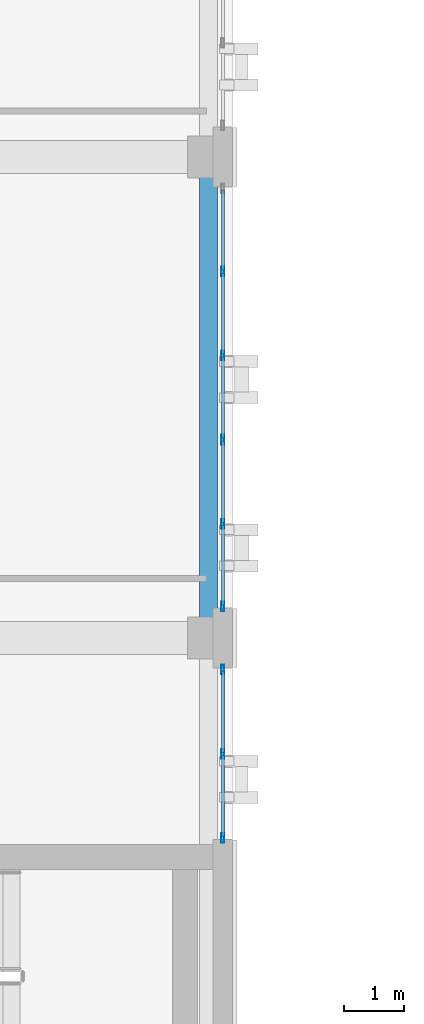
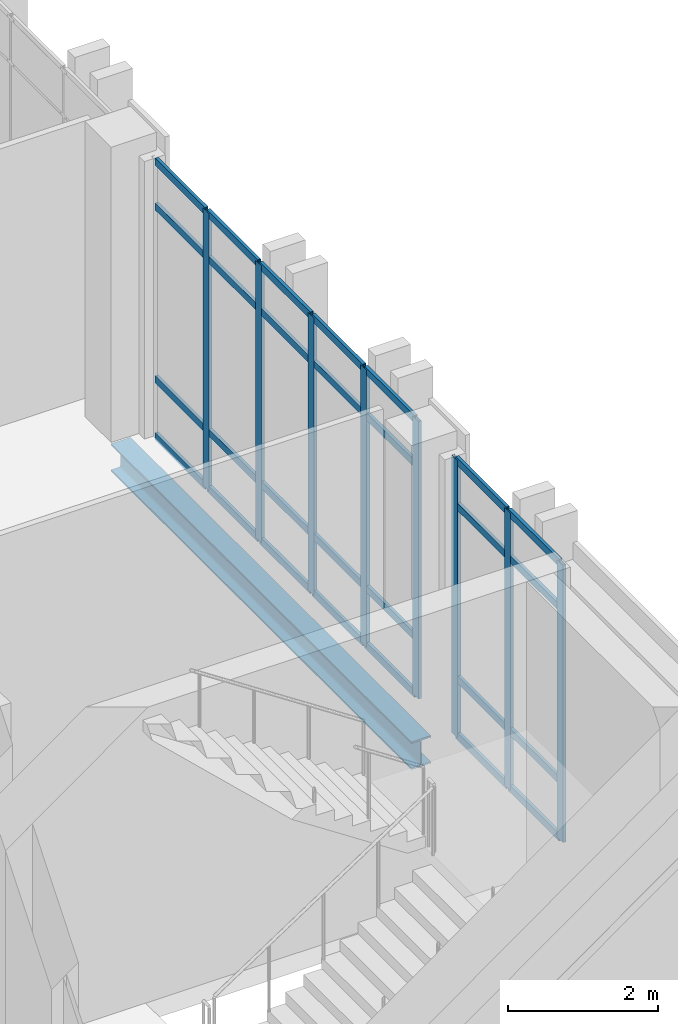
# One storey, part 63 of 189: 36 members, 1 beam, 2 elements without a shape of their own.
"""IFC4 building model written with IfcOpenShell, lengths in metres."""

import ifcopenshell
import ifcopenshell.guid

model = None  # the IFC model being written
_history = None  # IfcOwnerHistory: only IFC2X3 demands one
_inside = {}  # id of a spatial element -> (the spatial element, [elements in it])
_under = {}  # id of a project, library or spatial element -> (it, [spatial elements below it])
_declared = {}  # id of a project -> (the project, [libraries it declares])
_typed = {}  # id of a type object -> (the type object, [elements of that type])
_made_of = {}  # id of a material, layer set ... -> (it, [elements and type objects made of it])


def new_model(schema):
    """Start an empty IFC model of exactly this schema.

    Asked for "IFC4X3", IfcOpenShell would pick the latest addendum, in which some entities
    have other attributes; the version numbers below select the first issue.
    IFC2X3 requires an IfcOwnerHistory on every rooted entity: one is made here for all.
    """
    global model, _history
    if schema == "IFC4X3":
        model = ifcopenshell.file(schema_version=(4, 3, 0, 0))
    else:
        model = ifcopenshell.file(schema=schema)
    _inside.clear()
    _under.clear()
    _declared.clear()
    _typed.clear()
    _made_of.clear()
    _history = None
    if model.schema == "IFC2X3":
        org = make("IfcOrganization", Name="unknown")
        user = make(
            "IfcPersonAndOrganization",
            ThePerson=make("IfcPerson", FamilyName="unknown"),
            TheOrganization=org,
        )
        app = make(
            "IfcApplication",
            ApplicationDeveloper=org,
            Version="unknown",
            ApplicationFullName="unknown",
            ApplicationIdentifier="unknown",
        )
        _history = make(
            "IfcOwnerHistory",
            OwningUser=user,
            OwningApplication=app,
            ChangeAction="ADDED",
            CreationDate=0,
        )
    return model


def make(cls, **values):
    """One entity of the class cls with the attributes given. An attribute that is None is left unset."""
    return model.create_entity(
        cls, **{name: value for name, value in values.items() if value is not None}
    )


def rooted(cls, **values):
    """An entity with a GlobalId (a new one), such as an element, a storey or a relation."""
    return make(cls, GlobalId=ifcopenshell.guid.new(), OwnerHistory=_history, **values)


def si_unit(unit_type, name, prefix=None):
    """IfcSIUnit, for example si_unit("LENGTHUNIT", "METRE", prefix="MILLI")."""
    return make("IfcSIUnit", UnitType=unit_type, Prefix=prefix, Name=name)


def assignment(units):
    """IfcUnitAssignment: the units of a project."""
    return None if units is None else make("IfcUnitAssignment", Units=units)


def point(xyz):
    """IfcCartesianPoint."""
    return None if xyz is None else make("IfcCartesianPoint", Coordinates=xyz)


def direction(xyz):
    """IfcDirection."""
    return None if xyz is None else make("IfcDirection", DirectionRatios=xyz)


def frame(location, z_axis=None, x_axis=None):
    """IfcAxis2Placement3D, a coordinate frame: its origin and axes. An axis left out is left unset."""
    return make(
        "IfcAxis2Placement3D",
        Location=point(location),
        Axis=direction(z_axis),
        RefDirection=direction(x_axis),
    )


def frame_2d(location, x_axis=None):
    """IfcAxis2Placement2D, a coordinate frame in the plane: its origin and x axis."""
    return make(
        "IfcAxis2Placement2D", Location=point(location), RefDirection=direction(x_axis)
    )


def origin():
    """The frame at (0, 0, 0) with its axes left unset."""
    return frame((0.0, 0.0, 0.0))


def origin_2d():
    """The frame at (0, 0) in the plane with its x axis left unset."""
    return frame_2d((0.0, 0.0))


def place(relative_to, where):
    """IfcLocalPlacement: puts the frame where relative to a parent placement (None: the world)."""
    return make(
        "IfcLocalPlacement", PlacementRelTo=relative_to, RelativePlacement=where
    )


def context(
    kind, dimensions, precision=None, world=None, true_north=None, identifier=None
):
    """IfcGeometricRepresentationContext, for example the 3D "Model" context."""
    return make(
        "IfcGeometricRepresentationContext",
        ContextIdentifier=identifier,
        ContextType=kind,
        CoordinateSpaceDimension=dimensions,
        Precision=precision,
        WorldCoordinateSystem=world,
        TrueNorth=true_north,
    )


def subcontext(parent, identifier, kind, view, scale=None):
    """IfcGeometricRepresentationSubContext, for example "Body" below "Model"."""
    return make(
        "IfcGeometricRepresentationSubContext",
        ContextIdentifier=identifier,
        ContextType=kind,
        ParentContext=parent,
        TargetScale=scale,
        TargetView=view,
    )


def project(units=None, contexts=None):
    """IfcProject with its units and contexts."""
    return rooted(
        "IfcProject",
        Name="project",
        RepresentationContexts=contexts,
        UnitsInContext=assignment(units),
    )


def spatial(cls, under=None, at=None, **own):
    """A site, building, storey or space (cls), placed at a placement, below another one or the project."""
    s = rooted(cls, ObjectPlacement=at, **own)
    if under is not None:
        _under.setdefault(under.id(), (under, []))[1].append(s)
    return s


def profile(cls, at=None, kind="AREA", **sizes):
    """A parametric profile (cls). Its sizes go by their IFC names, for example OverallWidth=200.0."""
    return make(cls, ProfileType=kind, Position=at, **sizes)


def hollow_rectangle(**sizes):
    """IfcRectangleHollowProfileDef."""
    return profile("IfcRectangleHollowProfileDef", **sizes)


def i_section(**sizes):
    """IfcIShapeProfileDef."""
    return profile("IfcIShapeProfileDef", **sizes)


def extrude(swept, where, along, depth):
    """IfcExtrudedAreaSolid: the profile swept, set in the frame where, extruded along a direction by depth."""
    return make(
        "IfcExtrudedAreaSolid",
        SweptArea=swept,
        Position=where,
        ExtrudedDirection=direction(along),
        Depth=depth,
    )


def shape(context_of_items, identifier, shape_type, items):
    """IfcShapeRepresentation: the items that make up one representation, for example the "Body"."""
    return make(
        "IfcShapeRepresentation",
        ContextOfItems=context_of_items,
        RepresentationIdentifier=identifier,
        RepresentationType=shape_type,
        Items=items,
    )


def material(Name=None, Category=None):
    """IfcMaterial."""
    return make("IfcMaterial", Name=Name, Category=Category)


def layer(
    of_material, thickness, ventilated=None, Name=None, Category=None, Priority=None
):
    """IfcMaterialLayer: one layer of a wall or slab, of a material (None: an air gap)."""
    return make(
        "IfcMaterialLayer",
        Material=of_material,
        LayerThickness=thickness,
        IsVentilated=ventilated,
        Name=Name,
        Category=Category,
        Priority=Priority,
    )


def layer_set(layers, Name=None):
    """IfcMaterialLayerSet."""
    return make("IfcMaterialLayerSet", MaterialLayers=layers, LayerSetName=Name)


def material_profile(
    of_material, cross_section, Name=None, Category=None, Priority=None
):
    """IfcMaterialProfile: a cross section and its material."""
    return make(
        "IfcMaterialProfile",
        Name=Name,
        Material=of_material,
        Profile=cross_section,
        Priority=Priority,
        Category=Category,
    )


def profile_set(profiles, Name=None, composite=None):
    """IfcMaterialProfileSet."""
    return make(
        "IfcMaterialProfileSet",
        Name=Name,
        MaterialProfiles=profiles,
        CompositeProfile=composite,
    )


def made_of(thing, what):
    """Note that an element or type object is made of a material, layer set ...; save() writes the relation."""
    if what is not None:
        _made_of.setdefault(what.id(), (what, []))[1].append(thing)
    return thing


def type_object(cls, material=None, **own):
    """A type object (cls), such as IfcWallType, which elements share."""
    return made_of(rooted(cls, **own), material)


def element(
    cls,
    number,
    at=None,
    inside=None,
    cuts=None,
    type_object=None,
    material=None,
    context=None,
    identifier="Body",
    shape_type=None,
    held_by="IfcProductDefinitionShape",
    body=None,
    shapes=None,
    **own,
):
    """One element of the class cls, such as IfcWall. Its Tag is "e" and its number.

    at: its placement. inside: the storey or other place that contains it. cuts: it is an
    opening in that element (IfcRelVoidsElement). A single representation is given by context,
    identifier, shape_type and body (its items); several are given by shapes. held_by: the class
    of the entity that holds the representations. save() writes the other relations.
    """
    e = rooted(cls, Tag="e%d" % number, ObjectPlacement=at, **own)
    if body is not None:
        shapes = [shape(context, identifier, shape_type, body)]
    if shapes is not None:
        e.Representation = make(held_by, Representations=shapes)
    if inside is not None:
        _inside.setdefault(inside.id(), (inside, []))[1].append(e)
    if cuts is not None:
        rooted(
            "IfcRelVoidsElement", RelatingBuildingElement=cuts, RelatedOpeningElement=e
        )
    if type_object is not None:
        _typed.setdefault(type_object.id(), (type_object, []))[1].append(e)
    return made_of(e, material)


def aggregate(whole, parts):
    """IfcRelAggregates: a whole, such as a stair, and the parts it consists of."""
    return rooted("IfcRelAggregates", RelatingObject=whole, RelatedObjects=parts)


def save(model, path):
    """Write the relations noted so far, then the file.

    IfcRelAggregates (storeys below a building ...), IfcRelContainedInSpatialStructure (elements
    in a storey), IfcRelDefinesByType, IfcRelAssociatesMaterial and IfcRelDeclares: one each for
    every whole, place, type object, material and project.
    """
    for whole, parts in _under.values():
        aggregate(whole, parts)
    for where, things in _inside.values():
        rooted(
            "IfcRelContainedInSpatialStructure",
            RelatedElements=things,
            RelatingStructure=where,
        )
    for kind, things in _typed.values():
        rooted("IfcRelDefinesByType", RelatedObjects=things, RelatingType=kind)
    for what, things in _made_of.values():
        rooted("IfcRelAssociatesMaterial", RelatedObjects=things, RelatingMaterial=what)
    for by, libraries in _declared.values():
        rooted("IfcRelDeclares", RelatingContext=by, RelatedDefinitions=libraries)
    model.write(path)


model = new_model("IFC4")

# Units and contexts
model_context = context("Model", 3, precision=1e-05, world=origin(), true_north=direction((0.0, 1.0)))
body_context = subcontext(model_context, "Body", "Model", "MODEL_VIEW")
ifc_project = project(units=[si_unit("LENGTHUNIT", "METRE"), si_unit("AREAUNIT", "SQUARE_METRE"), si_unit("VOLUMEUNIT", "CUBIC_METRE"), si_unit("PLANEANGLEUNIT", "RADIAN"), si_unit("MASSUNIT", "GRAM", prefix="KILO")], contexts=[model_context])

# Site, building, storey
site_placement = place(None, origin())
site = spatial("IfcSite", under=ifc_project, at=site_placement, CompositionType="ELEMENT")
building_placement = place(site_placement, origin())
building = spatial("IfcBuilding", under=site, at=building_placement, Name="Qalavern Law Courts", CompositionType="ELEMENT")
storey_placement = place(building_placement, frame((0.0, 0.0, 5.39990234375)))
storey = spatial("IfcBuildingStorey", under=building, at=storey_placement, Name="L01", CompositionType="ELEMENT", Elevation=5.39990234375)

# Curtain wall, members
ifc_material_1 = material(Name="Anodised aluminium and insulated glazing", Category="aluminium")
ifc_layer = layer(ifc_material_1, 0.172119140625)
ifc_layer_set = layer_set([ifc_layer], Name="Anodised aluminium and insulated glazing")
curtain_wall_type = type_object("IfcCurtainWallType", Name="ENV-CW-COURT", PredefinedType="USERDEFINED", material=ifc_layer_set)
curtain_wall_1_placement = place(storey_placement, origin())
curtain_wall_1 = element("IfcCurtainWall", 1, at=curtain_wall_1_placement, inside=storey, type_object=curtain_wall_type, Name="V4 unitised curtain wall L01 east 1", ObjectType="UNITISED CURTAIN WALL", PredefinedType="USERDEFINED")
ifc_material_2 = material(Name="Anodised aluminium", Category="aluminium")
ifc_material_profile_1 = material_profile(ifc_material_2, hollow_rectangle(XDim=0.048095703125, YDim=0.159912109375, WallThickness=0.00390625, at=origin_2d()), Name="ALU MULLION 48x160")
ifc_profile_set_1 = profile_set([ifc_material_profile_1], Name="Anodised aluminium")
member_type_1 = type_object("IfcMemberType", Name="ENV-CWM-48x160", PredefinedType="MULLION", material=ifc_profile_set_1)
member_1_placement = place(storey_placement, frame((106.637451171875, 46.073974609375, 0.0), z_axis=(0.0, 0.0, 1.0), x_axis=(-1.0, 0.0, 0.0)))
member_1 = element("IfcMember", 2, at=member_1_placement, type_object=member_type_1, Name="CW-03 mullion 1", PredefinedType="MULLION", context=body_context, shape_type="SweptSolid", body=[
    extrude(hollow_rectangle(XDim=0.048095703125, YDim=0.159912109375, WallThickness=0.00390625, at=origin_2d()), origin(), (0.0, 0.0, 1.0), 4.510009765625),
])
member_2_placement = place(storey_placement, frame((106.637451171875, 47.47509765625, 0.0), z_axis=(0.0, 0.0, 1.0), x_axis=(-1.0, 0.0, 0.0)))
member_2 = element("IfcMember", 3, at=member_2_placement, type_object=member_type_1, Name="CW-03 mullion 2", PredefinedType="MULLION", context=body_context, shape_type="SweptSolid", body=[
    extrude(hollow_rectangle(XDim=0.048095703125, YDim=0.159912109375, WallThickness=0.00390625, at=origin_2d()), origin(), (0.0, 0.0, 1.0), 4.510009765625),
])
member_3_placement = place(storey_placement, frame((106.637451171875, 48.8759765625, 0.0), z_axis=(0.0, 0.0, 1.0), x_axis=(-1.0, 0.0, 0.0)))
member_3 = element("IfcMember", 4, at=member_3_placement, type_object=member_type_1, Name="CW-03 mullion 3", PredefinedType="MULLION", context=body_context, shape_type="SweptSolid", body=[
    extrude(hollow_rectangle(XDim=0.048095703125, YDim=0.159912109375, WallThickness=0.00390625, at=origin_2d()), origin(), (0.0, 0.0, 1.0), 4.510009765625),
])

curtain_wall_2_placement = place(storey_placement, origin())
curtain_wall_2 = element("IfcCurtainWall", 5, at=curtain_wall_2_placement, inside=storey, type_object=curtain_wall_type, Name="V4 unitised curtain wall L01 east 2", ObjectType="UNITISED CURTAIN WALL", PredefinedType="USERDEFINED")
member_4_placement = place(storey_placement, frame((106.637451171875, 49.924072265625, 0.0), z_axis=(0.0, 0.0, 1.0), x_axis=(-1.0, 0.0, 0.0)))
member_4 = element("IfcMember", 6, at=member_4_placement, type_object=member_type_1, Name="CW-03 mullion 1", PredefinedType="MULLION", context=body_context, shape_type="SweptSolid", body=[
    extrude(hollow_rectangle(XDim=0.048095703125, YDim=0.159912109375, WallThickness=0.00390625, at=origin_2d()), origin(), (0.0, 0.0, 1.0), 4.510009765625),
])
member_5_placement = place(storey_placement, frame((106.637451171875, 51.300048828125, 0.0), z_axis=(0.0, 0.0, 1.0), x_axis=(-1.0, 0.0, 0.0)))
member_5 = element("IfcMember", 7, at=member_5_placement, type_object=member_type_1, Name="CW-03 mullion 2", PredefinedType="MULLION", context=body_context, shape_type="SweptSolid", body=[
    extrude(hollow_rectangle(XDim=0.048095703125, YDim=0.159912109375, WallThickness=0.00390625, at=origin_2d()), origin(), (0.0, 0.0, 1.0), 4.510009765625),
])
member_6_placement = place(storey_placement, frame((106.637451171875, 52.699951171875, 0.0), z_axis=(0.0, 0.0, 1.0), x_axis=(-1.0, 0.0, 0.0)))
member_6 = element("IfcMember", 8, at=member_6_placement, type_object=member_type_1, Name="CW-03 mullion 3", PredefinedType="MULLION", context=body_context, shape_type="SweptSolid", body=[
    extrude(hollow_rectangle(XDim=0.048095703125, YDim=0.159912109375, WallThickness=0.00390625, at=origin_2d()), origin(), (0.0, 0.0, 1.0), 4.510009765625),
])
member_7_placement = place(storey_placement, frame((106.637451171875, 54.10009765625, 0.0), z_axis=(0.0, 0.0, 1.0), x_axis=(-1.0, 0.0, 0.0)))
member_7 = element("IfcMember", 9, at=member_7_placement, type_object=member_type_1, Name="CW-03 mullion 4", PredefinedType="MULLION", context=body_context, shape_type="SweptSolid", body=[
    extrude(hollow_rectangle(XDim=0.048095703125, YDim=0.159912109375, WallThickness=0.00390625, at=origin_2d()), origin(), (0.0, 0.0, 1.0), 4.510009765625),
])
member_8_placement = place(storey_placement, frame((106.637451171875, 55.5, 0.0), z_axis=(0.0, 0.0, 1.0), x_axis=(-1.0, 0.0, 0.0)))
member_8 = element("IfcMember", 10, at=member_8_placement, type_object=member_type_1, Name="CW-03 mullion 5", PredefinedType="MULLION", context=body_context, shape_type="SweptSolid", body=[
    extrude(hollow_rectangle(XDim=0.048095703125, YDim=0.159912109375, WallThickness=0.00390625, at=origin_2d()), origin(), (0.0, 0.0, 1.0), 4.510009765625),
])

# Member
ifc_material_profile_2 = material_profile(ifc_material_2, hollow_rectangle(XDim=0.048095703125, YDim=0.1201171875, WallThickness=0.00390625, at=origin_2d()), Name="ALU TRANSOM 48x120")
ifc_profile_set_2 = profile_set([ifc_material_profile_2], Name="Anodised aluminium")
member_type_2 = type_object("IfcMemberType", Name="ENV-CWT-48x120", PredefinedType="USERDEFINED", material=ifc_profile_set_2)
member_9_placement = place(storey_placement, frame((106.637451171875, 46.097900390625, 0.024169921875), z_axis=(0.0, 1.0, 0.0), x_axis=(-1.0, 0.0, 0.0)))
member_9 = element("IfcMember", 11, at=member_9_placement, type_object=member_type_2, Name="CW-03 transom 1.1", ObjectType="TRANSOM", PredefinedType="USERDEFINED", context=body_context, shape_type="SweptSolid", body=[
    extrude(hollow_rectangle(XDim=0.048095703125, YDim=0.1201171875, WallThickness=0.00390625, at=origin_2d()), origin(), (0.0, 0.0, 1.0), 1.35302734375),
])

member_10_placement = place(storey_placement, frame((106.637451171875, 46.097900390625, 0.9501953125), z_axis=(0.0, 1.0, 0.0), x_axis=(-1.0, 0.0, 0.0)))
member_10 = element("IfcMember", 12, at=member_10_placement, type_object=member_type_2, Name="CW-03 transom 1.2", ObjectType="TRANSOM", PredefinedType="USERDEFINED", context=body_context, shape_type="SweptSolid", body=[
    extrude(hollow_rectangle(XDim=0.048095703125, YDim=0.1201171875, WallThickness=0.00390625, at=origin_2d()), origin(), (0.0, 0.0, 1.0), 1.35302734375),
])

member_11_placement = place(storey_placement, frame((106.637451171875, 46.097900390625, 3.760009765625), z_axis=(0.0, 1.0, 0.0), x_axis=(-1.0, 0.0, 0.0)))
member_11 = element("IfcMember", 13, at=member_11_placement, type_object=member_type_2, Name="CW-03 transom 1.3", ObjectType="TRANSOM", PredefinedType="USERDEFINED", context=body_context, shape_type="SweptSolid", body=[
    extrude(hollow_rectangle(XDim=0.048095703125, YDim=0.1201171875, WallThickness=0.00390625, at=origin_2d()), origin(), (0.0, 0.0, 1.0), 1.35302734375),
])

member_12_placement = place(storey_placement, frame((106.637451171875, 46.097900390625, 4.486083984375), z_axis=(0.0, 1.0, 0.0), x_axis=(-1.0, 0.0, 0.0)))
member_12 = element("IfcMember", 14, at=member_12_placement, type_object=member_type_2, Name="CW-03 transom 1.4", ObjectType="TRANSOM", PredefinedType="USERDEFINED", context=body_context, shape_type="SweptSolid", body=[
    extrude(hollow_rectangle(XDim=0.048095703125, YDim=0.1201171875, WallThickness=0.00390625, at=origin_2d()), origin(), (0.0, 0.0, 1.0), 1.35302734375),
])

member_13_placement = place(storey_placement, frame((106.637451171875, 47.4990234375, 0.024169921875), z_axis=(0.0, 1.0, 0.0), x_axis=(-1.0, 0.0, 0.0)))
member_13 = element("IfcMember", 15, at=member_13_placement, type_object=member_type_2, Name="CW-03 transom 2.1", ObjectType="TRANSOM", PredefinedType="USERDEFINED", context=body_context, shape_type="SweptSolid", body=[
    extrude(hollow_rectangle(XDim=0.048095703125, YDim=0.1201171875, WallThickness=0.00390625, at=origin_2d()), origin(), (0.0, 0.0, 1.0), 1.35302734375),
])

member_14_placement = place(storey_placement, frame((106.637451171875, 47.4990234375, 0.9501953125), z_axis=(0.0, 1.0, 0.0), x_axis=(-1.0, 0.0, 0.0)))
member_14 = element("IfcMember", 16, at=member_14_placement, type_object=member_type_2, Name="CW-03 transom 2.2", ObjectType="TRANSOM", PredefinedType="USERDEFINED", context=body_context, shape_type="SweptSolid", body=[
    extrude(hollow_rectangle(XDim=0.048095703125, YDim=0.1201171875, WallThickness=0.00390625, at=origin_2d()), origin(), (0.0, 0.0, 1.0), 1.35302734375),
])

member_15_placement = place(storey_placement, frame((106.637451171875, 47.4990234375, 3.760009765625), z_axis=(0.0, 1.0, 0.0), x_axis=(-1.0, 0.0, 0.0)))
member_15 = element("IfcMember", 17, at=member_15_placement, type_object=member_type_2, Name="CW-03 transom 2.3", ObjectType="TRANSOM", PredefinedType="USERDEFINED", context=body_context, shape_type="SweptSolid", body=[
    extrude(hollow_rectangle(XDim=0.048095703125, YDim=0.1201171875, WallThickness=0.00390625, at=origin_2d()), origin(), (0.0, 0.0, 1.0), 1.35302734375),
])

member_16_placement = place(storey_placement, frame((106.637451171875, 47.4990234375, 4.486083984375), z_axis=(0.0, 1.0, 0.0), x_axis=(-1.0, 0.0, 0.0)))
member_16 = element("IfcMember", 18, at=member_16_placement, type_object=member_type_2, Name="CW-03 transom 2.4", ObjectType="TRANSOM", PredefinedType="USERDEFINED", context=body_context, shape_type="SweptSolid", body=[
    extrude(hollow_rectangle(XDim=0.048095703125, YDim=0.1201171875, WallThickness=0.00390625, at=origin_2d()), origin(), (0.0, 0.0, 1.0), 1.35302734375),
])

aggregate(curtain_wall_1, [member_1, member_2, member_3, member_9, member_10, member_11, member_12, member_13, member_14, member_15, member_16])

member_17_placement = place(storey_placement, frame((106.637451171875, 49.947998046875, 0.024169921875), z_axis=(0.0, 1.0, 0.0), x_axis=(-1.0, 0.0, 0.0)))
member_17 = element("IfcMember", 19, at=member_17_placement, type_object=member_type_2, Name="CW-03 transom 1.1", ObjectType="TRANSOM", PredefinedType="USERDEFINED", context=body_context, shape_type="SweptSolid", body=[
    extrude(hollow_rectangle(XDim=0.048095703125, YDim=0.1201171875, WallThickness=0.00390625, at=origin_2d()), origin(), (0.0, 0.0, 1.0), 1.327880859375),
])

member_18_placement = place(storey_placement, frame((106.637451171875, 49.947998046875, 0.9501953125), z_axis=(0.0, 1.0, 0.0), x_axis=(-1.0, 0.0, 0.0)))
member_18 = element("IfcMember", 20, at=member_18_placement, type_object=member_type_2, Name="CW-03 transom 1.2", ObjectType="TRANSOM", PredefinedType="USERDEFINED", context=body_context, shape_type="SweptSolid", body=[
    extrude(hollow_rectangle(XDim=0.048095703125, YDim=0.1201171875, WallThickness=0.00390625, at=origin_2d()), origin(), (0.0, 0.0, 1.0), 1.327880859375),
])

member_19_placement = place(storey_placement, frame((106.637451171875, 49.947998046875, 3.760009765625), z_axis=(0.0, 1.0, 0.0), x_axis=(-1.0, 0.0, 0.0)))
member_19 = element("IfcMember", 21, at=member_19_placement, type_object=member_type_2, Name="CW-03 transom 1.3", ObjectType="TRANSOM", PredefinedType="USERDEFINED", context=body_context, shape_type="SweptSolid", body=[
    extrude(hollow_rectangle(XDim=0.048095703125, YDim=0.1201171875, WallThickness=0.00390625, at=origin_2d()), origin(), (0.0, 0.0, 1.0), 1.327880859375),
])

member_20_placement = place(storey_placement, frame((106.637451171875, 49.947998046875, 4.486083984375), z_axis=(0.0, 1.0, 0.0), x_axis=(-1.0, 0.0, 0.0)))
member_20 = element("IfcMember", 22, at=member_20_placement, type_object=member_type_2, Name="CW-03 transom 1.4", ObjectType="TRANSOM", PredefinedType="USERDEFINED", context=body_context, shape_type="SweptSolid", body=[
    extrude(hollow_rectangle(XDim=0.048095703125, YDim=0.1201171875, WallThickness=0.00390625, at=origin_2d()), origin(), (0.0, 0.0, 1.0), 1.327880859375),
])

member_21_placement = place(storey_placement, frame((106.637451171875, 51.323974609375, 0.024169921875), z_axis=(0.0, 1.0, 0.0), x_axis=(-1.0, 0.0, 0.0)))
member_21 = element("IfcMember", 23, at=member_21_placement, type_object=member_type_2, Name="CW-03 transom 2.1", ObjectType="TRANSOM", PredefinedType="USERDEFINED", context=body_context, shape_type="SweptSolid", body=[
    extrude(hollow_rectangle(XDim=0.048095703125, YDim=0.1201171875, WallThickness=0.00390625, at=origin_2d()), origin(), (0.0, 0.0, 1.0), 1.35205078125),
])

member_22_placement = place(storey_placement, frame((106.637451171875, 51.323974609375, 0.9501953125), z_axis=(0.0, 1.0, 0.0), x_axis=(-1.0, 0.0, 0.0)))
member_22 = element("IfcMember", 24, at=member_22_placement, type_object=member_type_2, Name="CW-03 transom 2.2", ObjectType="TRANSOM", PredefinedType="USERDEFINED", context=body_context, shape_type="SweptSolid", body=[
    extrude(hollow_rectangle(XDim=0.048095703125, YDim=0.1201171875, WallThickness=0.00390625, at=origin_2d()), origin(), (0.0, 0.0, 1.0), 1.35205078125),
])

member_23_placement = place(storey_placement, frame((106.637451171875, 51.323974609375, 3.760009765625), z_axis=(0.0, 1.0, 0.0), x_axis=(-1.0, 0.0, 0.0)))
member_23 = element("IfcMember", 25, at=member_23_placement, type_object=member_type_2, Name="CW-03 transom 2.3", ObjectType="TRANSOM", PredefinedType="USERDEFINED", context=body_context, shape_type="SweptSolid", body=[
    extrude(hollow_rectangle(XDim=0.048095703125, YDim=0.1201171875, WallThickness=0.00390625, at=origin_2d()), origin(), (0.0, 0.0, 1.0), 1.35205078125),
])

member_24_placement = place(storey_placement, frame((106.637451171875, 51.323974609375, 4.486083984375), z_axis=(0.0, 1.0, 0.0), x_axis=(-1.0, 0.0, 0.0)))
member_24 = element("IfcMember", 26, at=member_24_placement, type_object=member_type_2, Name="CW-03 transom 2.4", ObjectType="TRANSOM", PredefinedType="USERDEFINED", context=body_context, shape_type="SweptSolid", body=[
    extrude(hollow_rectangle(XDim=0.048095703125, YDim=0.1201171875, WallThickness=0.00390625, at=origin_2d()), origin(), (0.0, 0.0, 1.0), 1.35205078125),
])

member_25_placement = place(storey_placement, frame((106.637451171875, 52.72412109375, 0.024169921875), z_axis=(0.0, 1.0, 0.0), x_axis=(-1.0, 0.0, 0.0)))
member_25 = element("IfcMember", 27, at=member_25_placement, type_object=member_type_2, Name="CW-03 transom 3.1", ObjectType="TRANSOM", PredefinedType="USERDEFINED", context=body_context, shape_type="SweptSolid", body=[
    extrude(hollow_rectangle(XDim=0.048095703125, YDim=0.1201171875, WallThickness=0.00390625, at=origin_2d()), origin(), (0.0, 0.0, 1.0), 1.351806640625),
])

member_26_placement = place(storey_placement, frame((106.637451171875, 52.72412109375, 0.9501953125), z_axis=(0.0, 1.0, 0.0), x_axis=(-1.0, 0.0, 0.0)))
member_26 = element("IfcMember", 28, at=member_26_placement, type_object=member_type_2, Name="CW-03 transom 3.2", ObjectType="TRANSOM", PredefinedType="USERDEFINED", context=body_context, shape_type="SweptSolid", body=[
    extrude(hollow_rectangle(XDim=0.048095703125, YDim=0.1201171875, WallThickness=0.00390625, at=origin_2d()), origin(), (0.0, 0.0, 1.0), 1.351806640625),
])

member_27_placement = place(storey_placement, frame((106.637451171875, 52.72412109375, 3.760009765625), z_axis=(0.0, 1.0, 0.0), x_axis=(-1.0, 0.0, 0.0)))
member_27 = element("IfcMember", 29, at=member_27_placement, type_object=member_type_2, Name="CW-03 transom 3.3", ObjectType="TRANSOM", PredefinedType="USERDEFINED", context=body_context, shape_type="SweptSolid", body=[
    extrude(hollow_rectangle(XDim=0.048095703125, YDim=0.1201171875, WallThickness=0.00390625, at=origin_2d()), origin(), (0.0, 0.0, 1.0), 1.351806640625),
])

member_28_placement = place(storey_placement, frame((106.637451171875, 52.72412109375, 4.486083984375), z_axis=(0.0, 1.0, 0.0), x_axis=(-1.0, 0.0, 0.0)))
member_28 = element("IfcMember", 30, at=member_28_placement, type_object=member_type_2, Name="CW-03 transom 3.4", ObjectType="TRANSOM", PredefinedType="USERDEFINED", context=body_context, shape_type="SweptSolid", body=[
    extrude(hollow_rectangle(XDim=0.048095703125, YDim=0.1201171875, WallThickness=0.00390625, at=origin_2d()), origin(), (0.0, 0.0, 1.0), 1.351806640625),
])

member_29_placement = place(storey_placement, frame((106.637451171875, 54.1240234375, 0.024169921875), z_axis=(0.0, 1.0, 0.0), x_axis=(-1.0, 0.0, 0.0)))
member_29 = element("IfcMember", 31, at=member_29_placement, type_object=member_type_2, Name="CW-03 transom 4.1", ObjectType="TRANSOM", PredefinedType="USERDEFINED", context=body_context, shape_type="SweptSolid", body=[
    extrude(hollow_rectangle(XDim=0.048095703125, YDim=0.1201171875, WallThickness=0.00390625, at=origin_2d()), origin(), (0.0, 0.0, 1.0), 1.35205078125),
])

member_30_placement = place(storey_placement, frame((106.637451171875, 54.1240234375, 0.9501953125), z_axis=(0.0, 1.0, 0.0), x_axis=(-1.0, 0.0, 0.0)))
member_30 = element("IfcMember", 32, at=member_30_placement, type_object=member_type_2, Name="CW-03 transom 4.2", ObjectType="TRANSOM", PredefinedType="USERDEFINED", context=body_context, shape_type="SweptSolid", body=[
    extrude(hollow_rectangle(XDim=0.048095703125, YDim=0.1201171875, WallThickness=0.00390625, at=origin_2d()), origin(), (0.0, 0.0, 1.0), 1.35205078125),
])

member_31_placement = place(storey_placement, frame((106.637451171875, 54.1240234375, 3.760009765625), z_axis=(0.0, 1.0, 0.0), x_axis=(-1.0, 0.0, 0.0)))
member_31 = element("IfcMember", 33, at=member_31_placement, type_object=member_type_2, Name="CW-03 transom 4.3", ObjectType="TRANSOM", PredefinedType="USERDEFINED", context=body_context, shape_type="SweptSolid", body=[
    extrude(hollow_rectangle(XDim=0.048095703125, YDim=0.1201171875, WallThickness=0.00390625, at=origin_2d()), origin(), (0.0, 0.0, 1.0), 1.35205078125),
])

member_32_placement = place(storey_placement, frame((106.637451171875, 54.1240234375, 4.486083984375), z_axis=(0.0, 1.0, 0.0), x_axis=(-1.0, 0.0, 0.0)))
member_32 = element("IfcMember", 34, at=member_32_placement, type_object=member_type_2, Name="CW-03 transom 4.4", ObjectType="TRANSOM", PredefinedType="USERDEFINED", context=body_context, shape_type="SweptSolid", body=[
    extrude(hollow_rectangle(XDim=0.048095703125, YDim=0.1201171875, WallThickness=0.00390625, at=origin_2d()), origin(), (0.0, 0.0, 1.0), 1.35205078125),
])

member_33_placement = place(storey_placement, frame((106.637451171875, 55.52392578125, 0.024169921875), z_axis=(0.0, 1.0, 0.0), x_axis=(-1.0, 0.0, 0.0)))
member_33 = element("IfcMember", 35, at=member_33_placement, type_object=member_type_2, Name="CW-03 transom 5.1", ObjectType="TRANSOM", PredefinedType="USERDEFINED", context=body_context, shape_type="SweptSolid", body=[
    extrude(hollow_rectangle(XDim=0.048095703125, YDim=0.1201171875, WallThickness=0.00390625, at=origin_2d()), origin(), (0.0, 0.0, 1.0), 1.328125),
])

member_34_placement = place(storey_placement, frame((106.637451171875, 55.52392578125, 0.9501953125), z_axis=(0.0, 1.0, 0.0), x_axis=(-1.0, 0.0, 0.0)))
member_34 = element("IfcMember", 36, at=member_34_placement, type_object=member_type_2, Name="CW-03 transom 5.2", ObjectType="TRANSOM", PredefinedType="USERDEFINED", context=body_context, shape_type="SweptSolid", body=[
    extrude(hollow_rectangle(XDim=0.048095703125, YDim=0.1201171875, WallThickness=0.00390625, at=origin_2d()), origin(), (0.0, 0.0, 1.0), 1.328125),
])

member_35_placement = place(storey_placement, frame((106.637451171875, 55.52392578125, 3.760009765625), z_axis=(0.0, 1.0, 0.0), x_axis=(-1.0, 0.0, 0.0)))
member_35 = element("IfcMember", 37, at=member_35_placement, type_object=member_type_2, Name="CW-03 transom 5.3", ObjectType="TRANSOM", PredefinedType="USERDEFINED", context=body_context, shape_type="SweptSolid", body=[
    extrude(hollow_rectangle(XDim=0.048095703125, YDim=0.1201171875, WallThickness=0.00390625, at=origin_2d()), origin(), (0.0, 0.0, 1.0), 1.328125),
])

member_36_placement = place(storey_placement, frame((106.637451171875, 55.52392578125, 4.486083984375), z_axis=(0.0, 1.0, 0.0), x_axis=(-1.0, 0.0, 0.0)))
member_36 = element("IfcMember", 38, at=member_36_placement, type_object=member_type_2, Name="CW-03 transom 5.4", ObjectType="TRANSOM", PredefinedType="USERDEFINED", context=body_context, shape_type="SweptSolid", body=[
    extrude(hollow_rectangle(XDim=0.048095703125, YDim=0.1201171875, WallThickness=0.00390625, at=origin_2d()), origin(), (0.0, 0.0, 1.0), 1.328125),
])

aggregate(curtain_wall_2, [member_4, member_5, member_6, member_7, member_8, member_17, member_18, member_19, member_20, member_21, member_22, member_23, member_24, member_25, member_26, member_27, member_28, member_29, member_30, member_31, member_32, member_33, member_34, member_35, member_36])

# Beam
ifc_material_3 = material(Name="Steel S355", Category="steel")
ifc_material_profile_3 = material_profile(ifc_material_3, i_section(OverallWidth=0.300048828125, OverallDepth=0.449951171875, WebThickness=0.013916015625, FlangeThickness=0.02587890625, FilletRadius=0.027099609375, at=origin_2d()), Name="HEB 450")
ifc_profile_set_3 = profile_set([ifc_material_profile_3], Name="Steel S355")
beam_type = type_object("IfcBeamType", Name="STR-SP-HEB450", PredefinedType="SPANDREL", material=ifc_profile_set_3)
beam_placement = place(storey_placement, frame((106.39990234375, 49.39990234375, -0.52490234375), z_axis=(0.0, 1.0, 0.0), x_axis=(-1.0, 0.0, 0.0)))
element("IfcBeam", 39, at=beam_placement, inside=storey, type_object=beam_type, Name="V4 Y-beam 3-2 L01", PredefinedType="SPANDREL", context=body_context, shape_type="SweptSolid", body=[
    extrude(i_section(OverallWidth=0.300048828125, OverallDepth=0.449951171875, WebThickness=0.013916015625, FlangeThickness=0.02587890625, FilletRadius=0.027099609375, at=origin_2d()), origin(), (0.0, 0.0, 1.0), 8.0),
])

save(model, "model.ifc")
